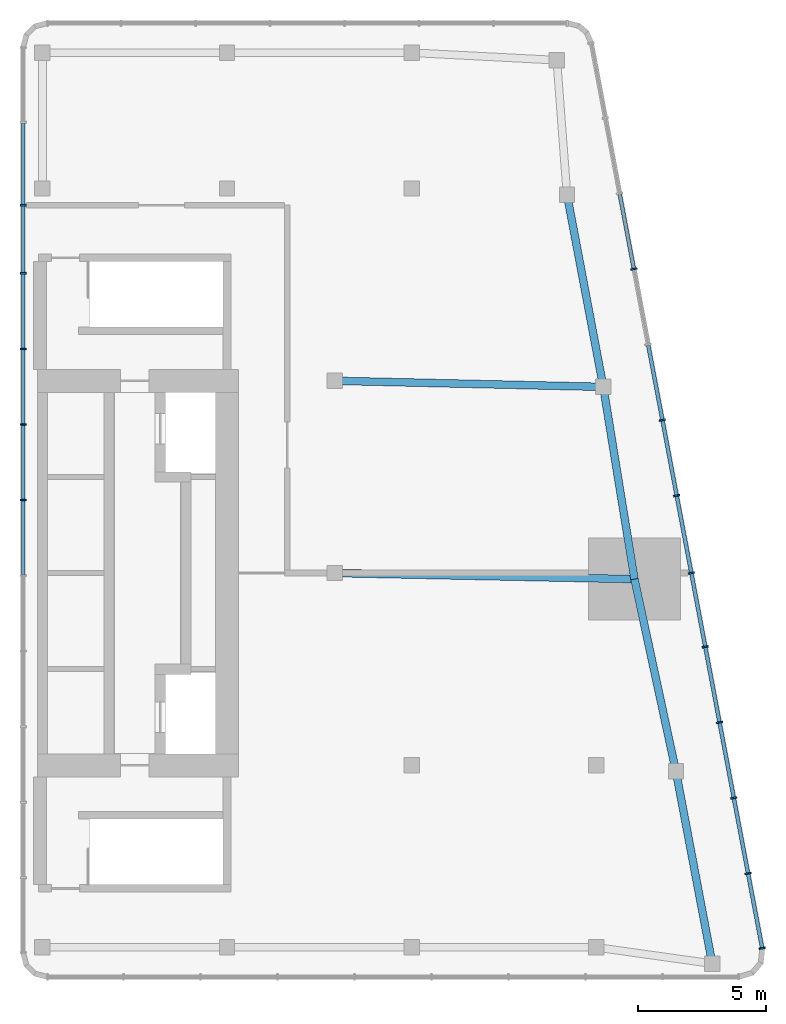
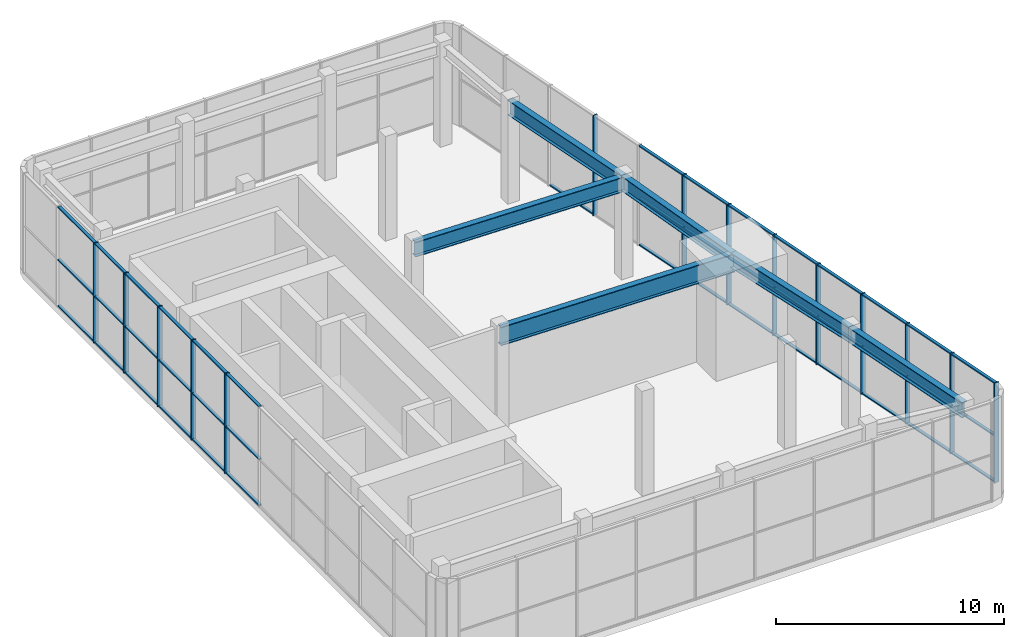
# One storey, part 2 of 6: 57 members, 6 beams, 2 elements without a shape of their own.
"""IFC4 building model written with IfcOpenShell, lengths in metres."""

from ifc_helpers import new_model, si_unit, direction, frame, origin, origin_2d, place, context, subcontext, project, spatial, rectangle, i_section, extrude, material, material_profile, profile_set, type_object, element, aggregate, save


model = new_model("IFC4")

# Units and contexts
model_context = context("Model", 3, precision=1e-05, world=origin(), true_north=direction((0.0, 1.0)))
body_context = subcontext(model_context, "Body", "Model", "MODEL_VIEW")
ifc_project = project(units=[si_unit("LENGTHUNIT", "METRE"), si_unit("AREAUNIT", "SQUARE_METRE"), si_unit("VOLUMEUNIT", "CUBIC_METRE"), si_unit("PLANEANGLEUNIT", "RADIAN"), si_unit("MASSUNIT", "GRAM", prefix="KILO")], contexts=[model_context])

# Site, building, storey
site_placement = place(None, origin())
site = spatial("IfcSite", under=ifc_project, at=site_placement, CompositionType="ELEMENT")
building_placement = place(site_placement, origin())
building = spatial("IfcBuilding", under=site, at=building_placement, Name="Sheger Commons Tower", CompositionType="ELEMENT")
storey_placement = place(building_placement, frame((0.0, 0.0, 301.60009765625)))
storey = spatial("IfcBuildingStorey", under=building, at=storey_placement, Name="L77", CompositionType="ELEMENT", Elevation=301.60009765625)

# Curtain wall, members
ifc_material_1 = material(Name="Black aluminium curtain wall, dark tinted glazing", Category="aluminium")
curtain_wall_type = type_object("IfcCurtainWallType", Name="CURTAIN WALL CW6 LANTERN", PredefinedType="USERDEFINED", material=ifc_material_1)
curtain_wall_1_placement = place(storey_placement, origin())
curtain_wall_1 = element("IfcCurtainWall", 1, at=curtain_wall_1_placement, inside=storey, type_object=curtain_wall_type, Name="Curtain Wall Cw6 Lantern E1 L77", ObjectType="UNITISED CURTAIN WALL", PredefinedType="USERDEFINED")
ifc_material_2 = material(Name="Black anodised aluminium", Category="aluminium")
ifc_material_profile_1 = material_profile(ifc_material_2, rectangle(XDim=0.25, YDim=0.06494140625, at=origin_2d()), Name="AL 65x250")
ifc_profile_set_1 = profile_set([ifc_material_profile_1], Name="Black anodised aluminium")
member_type_1 = type_object("IfcMemberType", Name="MULLION AL 65x250", PredefinedType="MULLION", material=ifc_profile_set_1)
member_1_placement = place(storey_placement, frame((49.677978515625, 7.864013671875, 0.0), z_axis=(0.0, 0.0, 1.0), x_axis=(-0.982622863229, -0.185613331041, 0.0)))
member_1 = element("IfcMember", 2, at=member_1_placement, type_object=member_type_1, Name="CW6 mullion 1", PredefinedType="MULLION", context=body_context, shape_type="SweptSolid", body=[
    extrude(rectangle(XDim=0.25, YDim=0.06494140625, at=origin_2d()), origin(), (0.0, 0.0, 1.0), 5.349853515625),
])
member_2_placement = place(storey_placement, frame((49.127197265625, 10.77978515625, 0.0), z_axis=(0.0, 0.0, 1.0), x_axis=(-0.982622863229, -0.185613331041, 0.0)))
member_2 = element("IfcMember", 3, at=member_2_placement, type_object=member_type_1, Name="CW6 mullion 2", PredefinedType="MULLION", context=body_context, shape_type="SweptSolid", body=[
    extrude(rectangle(XDim=0.25, YDim=0.06494140625, at=origin_2d()), origin(), (0.0, 0.0, 1.0), 5.349853515625),
])
member_3_placement = place(storey_placement, frame((48.5703125, 13.727783203125, 0.0), z_axis=(0.0, 0.0, 1.0), x_axis=(-0.982622863229, -0.185613331041, 0.0)))
member_3 = element("IfcMember", 4, at=member_3_placement, type_object=member_type_1, Name="CW6 mullion 3", PredefinedType="MULLION", context=body_context, shape_type="SweptSolid", body=[
    extrude(rectangle(XDim=0.25, YDim=0.06494140625, at=origin_2d()), origin(), (0.0, 0.0, 1.0), 5.349853515625),
])
member_4_placement = place(storey_placement, frame((48.013427734375, 16.675537109375, 0.0), z_axis=(0.0, 0.0, 1.0), x_axis=(-0.982622863229, -0.185613331041, 0.0)))
member_4 = element("IfcMember", 5, at=member_4_placement, type_object=member_type_1, Name="CW6 mullion 4", PredefinedType="MULLION", context=body_context, shape_type="SweptSolid", body=[
    extrude(rectangle(XDim=0.25, YDim=0.06494140625, at=origin_2d()), origin(), (0.0, 0.0, 1.0), 5.349853515625),
])
member_5_placement = place(storey_placement, frame((47.45654296875, 19.62353515625, 0.0), z_axis=(0.0, 0.0, 1.0), x_axis=(-0.982622863229, -0.185613331041, 0.0)))
member_5 = element("IfcMember", 6, at=member_5_placement, type_object=member_type_1, Name="CW6 mullion 5", PredefinedType="MULLION", context=body_context, shape_type="SweptSolid", body=[
    extrude(rectangle(XDim=0.25, YDim=0.06494140625, at=origin_2d()), origin(), (0.0, 0.0, 1.0), 5.349853515625),
])
member_6_placement = place(storey_placement, frame((46.913330078125, 22.49951171875, 0.0), z_axis=(0.0, 0.0, 1.0), x_axis=(-0.982622863229, -0.185613331041, 0.0)))
member_6 = element("IfcMember", 7, at=member_6_placement, type_object=member_type_1, Name="CW6 mullion 6", PredefinedType="MULLION", context=body_context, shape_type="SweptSolid", body=[
    extrude(rectangle(XDim=0.25, YDim=0.06494140625, at=origin_2d()), origin(), (0.0, 0.0, 1.0), 5.349853515625),
])
member_7_placement = place(storey_placement, frame((46.343017578125, 25.519287109375, 0.0), z_axis=(0.0, 0.0, 1.0), x_axis=(-0.982622863229, -0.185613331041, 0.0)))
member_7 = element("IfcMember", 8, at=member_7_placement, type_object=member_type_1, Name="CW6 mullion 7", PredefinedType="MULLION", context=body_context, shape_type="SweptSolid", body=[
    extrude(rectangle(XDim=0.25, YDim=0.06494140625, at=origin_2d()), origin(), (0.0, 0.0, 1.0), 5.349853515625),
])
member_8_placement = place(storey_placement, frame((45.7861328125, 28.467041015625, 0.0), z_axis=(0.0, 0.0, 1.0), x_axis=(-0.982622863229, -0.185613331041, 0.0)))
member_8 = element("IfcMember", 9, at=member_8_placement, type_object=member_type_1, Name="CW6 mullion 8", PredefinedType="MULLION", context=body_context, shape_type="SweptSolid", body=[
    extrude(rectangle(XDim=0.25, YDim=0.06494140625, at=origin_2d()), origin(), (0.0, 0.0, 1.0), 5.349853515625),
])
member_9_placement = place(storey_placement, frame((44.67236328125, 34.36279296875, 0.0), z_axis=(0.0, 0.0, 1.0), x_axis=(-0.982622863229, -0.185613331041, 0.0)))
member_9 = element("IfcMember", 10, at=member_9_placement, type_object=member_type_1, Name="CW6 mullion 10", PredefinedType="MULLION", context=body_context, shape_type="SweptSolid", body=[
    extrude(rectangle(XDim=0.25, YDim=0.06494140625, at=origin_2d()), origin(), (0.0, 0.0, 1.0), 5.349853515625),
])

curtain_wall_2_placement = place(storey_placement, origin())
curtain_wall_2 = element("IfcCurtainWall", 11, at=curtain_wall_2_placement, inside=storey, type_object=curtain_wall_type, Name="Curtain Wall Cw6 Lantern W1 L77", ObjectType="UNITISED CURTAIN WALL", PredefinedType="USERDEFINED")
member_10_placement = place(storey_placement, frame((20.85009765625, 36.85009765625, 0.0), z_axis=(0.0, 0.0, 1.0), x_axis=(1.0, 0.0, 0.0)))
member_10 = element("IfcMember", 12, at=member_10_placement, type_object=member_type_1, Name="CW6 mullion 3", PredefinedType="MULLION", context=body_context, shape_type="SweptSolid", body=[
    extrude(rectangle(XDim=0.25, YDim=0.06494140625, at=origin_2d()), origin(), (0.0, 0.0, 1.0), 5.349853515625),
])
member_11_placement = place(storey_placement, frame((20.85009765625, 34.194091796875, 0.0), z_axis=(0.0, 0.0, 1.0), x_axis=(1.0, 0.0, 0.0)))
member_11 = element("IfcMember", 13, at=member_11_placement, type_object=member_type_1, Name="CW6 mullion 4", PredefinedType="MULLION", context=body_context, shape_type="SweptSolid", body=[
    extrude(rectangle(XDim=0.25, YDim=0.06494140625, at=origin_2d()), origin(), (0.0, 0.0, 1.0), 5.349853515625),
])
member_12_placement = place(storey_placement, frame((20.85009765625, 31.24609375, 0.0), z_axis=(0.0, 0.0, 1.0), x_axis=(1.0, 0.0, 0.0)))
member_12 = element("IfcMember", 14, at=member_12_placement, type_object=member_type_1, Name="CW6 mullion 5", PredefinedType="MULLION", context=body_context, shape_type="SweptSolid", body=[
    extrude(rectangle(XDim=0.25, YDim=0.06494140625, at=origin_2d()), origin(), (0.0, 0.0, 1.0), 5.349853515625),
])
member_13_placement = place(storey_placement, frame((20.85009765625, 28.298095703125, 0.0), z_axis=(0.0, 0.0, 1.0), x_axis=(1.0, 0.0, 0.0)))
member_13 = element("IfcMember", 15, at=member_13_placement, type_object=member_type_1, Name="CW6 mullion 6", PredefinedType="MULLION", context=body_context, shape_type="SweptSolid", body=[
    extrude(rectangle(XDim=0.25, YDim=0.06494140625, at=origin_2d()), origin(), (0.0, 0.0, 1.0), 5.349853515625),
])
member_14_placement = place(storey_placement, frame((20.85009765625, 25.35009765625, 0.0), z_axis=(0.0, 0.0, 1.0), x_axis=(1.0, 0.0, 0.0)))
member_14 = element("IfcMember", 16, at=member_14_placement, type_object=member_type_1, Name="CW6 mullion 7", PredefinedType="MULLION", context=body_context, shape_type="SweptSolid", body=[
    extrude(rectangle(XDim=0.25, YDim=0.06494140625, at=origin_2d()), origin(), (0.0, 0.0, 1.0), 5.349853515625),
])

# Beams
ifc_material_3 = material(Name="Steel S460", Category="steel")
ifc_material_profile_2 = material_profile(ifc_material_3, i_section(OverallWidth=0.300048828125, OverallDepth=1.0, WebThickness=0.01904296875, FlangeThickness=0.035888671875, at=origin_2d()), Name="HE 1000 B")
ifc_profile_set_2 = profile_set([ifc_material_profile_2], Name="Steel S460")
beam_type_1 = type_object("IfcBeamType", Name="STEEL BEAM HE 1000 B", PredefinedType="BEAM", material=ifc_profile_set_2)
beam_1_placement = place(storey_placement, frame((33.0, 22.5, 4.849853515625), z_axis=(0.999794692776, -0.02026258368, 0.0), x_axis=(0.02026258368, 0.999794692776, 0.0)))
element("IfcBeam", 17, at=beam_1_placement, inside=storey, type_object=beam_type_1, Name="Beam 6-3000/D-7/D under ROOF", PredefinedType="BEAM", context=body_context, shape_type="SweptSolid", body=[
    extrude(i_section(OverallWidth=0.300048828125, OverallDepth=1.0, WebThickness=0.01904296875, FlangeThickness=0.035888671875, at=origin_2d()), origin(), (0.0, 0.0, 1.0), 11.699462890625),
])
ifc_material_4 = material(Name="Steel S460", Category="steel")
ifc_material_profile_3 = material_profile(ifc_material_4, i_section(OverallWidth=0.300048828125, OverallDepth=0.800048828125, WebThickness=0.017578125, FlangeThickness=0.032958984375, at=origin_2d()), Name="HE 800 B")
ifc_profile_set_3 = profile_set([ifc_material_profile_3], Name="Steel S460")
beam_type_2 = type_object("IfcBeamType", Name="STEEL BEAM HE 800 B", PredefinedType="BEAM", material=ifc_profile_set_3)
beam_2_placement = place(storey_placement, frame((47.72998046875, 7.262939453125, 4.949951171875), z_axis=(-0.18552441405, 0.982639655108, 0.0), x_axis=(-0.982639655108, -0.18552441405, 0.0)))
element("IfcBeam", 18, at=beam_2_placement, inside=storey, type_object=beam_type_2, Name="Beam E/B-E/C under ROOF", PredefinedType="BEAM", context=body_context, shape_type="SweptSolid", body=[
    extrude(i_section(OverallWidth=0.300048828125, OverallDepth=0.800048828125, WebThickness=0.017578125, FlangeThickness=0.032958984375, at=origin_2d()), origin(), (0.0, 0.0, 1.0), 7.632568359375),
])
beam_3_placement = place(storey_placement, frame((46.31396484375, 14.762939453125, 4.949951171875), z_axis=(-0.210750229323, 0.977539943348, 0.0), x_axis=(-0.977539943348, -0.210750229323, 0.0)))
element("IfcBeam", 19, at=beam_3_placement, inside=storey, type_object=beam_type_2, Name="Beam E/C-E/D under ROOF", PredefinedType="BEAM", context=body_context, shape_type="SweptSolid", body=[
    extrude(i_section(OverallWidth=0.300048828125, OverallDepth=0.800048828125, WebThickness=0.017578125, FlangeThickness=0.032958984375, at=origin_2d()), origin(), (0.0, 0.0, 1.0), 7.67236328125),
])
beam_4_placement = place(storey_placement, frame((44.697021484375, 22.262939453125, 4.949951171875), z_axis=(-0.160176929512, 0.987088319884, 0.0), x_axis=(-0.987088319884, -0.160176929512, 0.0)))
element("IfcBeam", 20, at=beam_4_placement, inside=storey, type_object=beam_type_2, Name="Beam E/D-E/E under ROOF", PredefinedType="BEAM", context=body_context, shape_type="SweptSolid", body=[
    extrude(i_section(OverallWidth=0.300048828125, OverallDepth=0.800048828125, WebThickness=0.017578125, FlangeThickness=0.032958984375, at=origin_2d()), origin(), (0.0, 0.0, 1.0), 7.59814453125),
])
beam_5_placement = place(storey_placement, frame((43.47998046875, 29.762939453125, 4.949951171875), z_axis=(-0.18552441405, 0.982639655108, 0.0), x_axis=(-0.982639655108, -0.18552441405, 0.0)))
element("IfcBeam", 21, at=beam_5_placement, inside=storey, type_object=beam_type_2, Name="Beam E/E-E/F under ROOF", PredefinedType="BEAM", context=body_context, shape_type="SweptSolid", body=[
    extrude(i_section(OverallWidth=0.300048828125, OverallDepth=0.800048828125, WebThickness=0.017578125, FlangeThickness=0.032958984375, at=origin_2d()), origin(), (0.0, 0.0, 1.0), 7.632568359375),
])
beam_6_placement = place(storey_placement, frame((33.0, 30.0, 4.949951171875), z_axis=(0.999744258625, -0.022614538395, 0.0), x_axis=(0.022614538395, 0.999744258625, 0.0)))
element("IfcBeam", 22, at=beam_6_placement, inside=storey, type_object=beam_type_2, Name="Beam 6-3000/E-E/E under ROOF", PredefinedType="BEAM", context=body_context, shape_type="SweptSolid", body=[
    extrude(i_section(OverallWidth=0.300048828125, OverallDepth=0.800048828125, WebThickness=0.017578125, FlangeThickness=0.032958984375, at=origin_2d()), origin(), (0.0, 0.0, 1.0), 10.482666015625),
])

# Member
ifc_material_5 = material(Name="Black anodised aluminium", Category="aluminium")
ifc_material_profile_4 = material_profile(ifc_material_5, rectangle(XDim=0.14990234375, YDim=0.06494140625, at=origin_2d()), Name="AL 65x150")
ifc_profile_set_4 = profile_set([ifc_material_profile_4], Name="Black anodised aluminium")
member_type_2 = type_object("IfcMemberType", Name="TRANSOM AL 65x150", PredefinedType="USERDEFINED", material=ifc_profile_set_4)
member_15_placement = place(storey_placement, frame((49.671875, 7.895751953125, 0.032470703125), z_axis=(-0.185542708152, 0.982636200967, 0.0), x_axis=(-0.982636200967, -0.185542708152, 0.0)))
member_15 = element("IfcMember", 23, at=member_15_placement, type_object=member_type_2, Name="CW6 transom 1.1", ObjectType="TRANSOM", PredefinedType="USERDEFINED", context=body_context, shape_type="SweptSolid", body=[
    extrude(rectangle(XDim=0.14990234375, YDim=0.06494140625, at=origin_2d()), origin(), (0.0, 0.0, 1.0), 2.902587890625),
])

member_16_placement = place(storey_placement, frame((49.671875, 7.895751953125, 2.5), z_axis=(-0.185542708152, 0.982636200967, 0.0), x_axis=(-0.982636200967, -0.185542708152, 0.0)))
member_16 = element("IfcMember", 24, at=member_16_placement, type_object=member_type_2, Name="CW6 transom 1.2", ObjectType="TRANSOM", PredefinedType="USERDEFINED", context=body_context, shape_type="SweptSolid", body=[
    extrude(rectangle(XDim=0.14990234375, YDim=0.06494140625, at=origin_2d()), origin(), (0.0, 0.0, 1.0), 2.902587890625),
])

member_17_placement = place(storey_placement, frame((49.671875, 7.895751953125, 5.3173828125), z_axis=(-0.185542708152, 0.982636200967, 0.0), x_axis=(-0.982636200967, -0.185542708152, 0.0)))
member_17 = element("IfcMember", 25, at=member_17_placement, type_object=member_type_2, Name="CW6 transom 1.3", ObjectType="TRANSOM", PredefinedType="USERDEFINED", context=body_context, shape_type="SweptSolid", body=[
    extrude(rectangle(XDim=0.14990234375, YDim=0.06494140625, at=origin_2d()), origin(), (0.0, 0.0, 1.0), 2.902587890625),
])

member_18_placement = place(storey_placement, frame((49.12109375, 10.811767578125, 0.032470703125), z_axis=(-0.18557911014, 0.982629326796, 0.0), x_axis=(-0.982629326796, -0.18557911014, 0.0)))
member_18 = element("IfcMember", 26, at=member_18_placement, type_object=member_type_2, Name="CW6 transom 2.1", ObjectType="TRANSOM", PredefinedType="USERDEFINED", context=body_context, shape_type="SweptSolid", body=[
    extrude(rectangle(XDim=0.14990234375, YDim=0.06494140625, at=origin_2d()), origin(), (0.0, 0.0, 1.0), 2.93505859375),
])

member_19_placement = place(storey_placement, frame((49.12109375, 10.811767578125, 2.5), z_axis=(-0.18557911014, 0.982629326796, 0.0), x_axis=(-0.982629326796, -0.18557911014, 0.0)))
member_19 = element("IfcMember", 27, at=member_19_placement, type_object=member_type_2, Name="CW6 transom 2.2", ObjectType="TRANSOM", PredefinedType="USERDEFINED", context=body_context, shape_type="SweptSolid", body=[
    extrude(rectangle(XDim=0.14990234375, YDim=0.06494140625, at=origin_2d()), origin(), (0.0, 0.0, 1.0), 2.93505859375),
])

member_20_placement = place(storey_placement, frame((49.12109375, 10.811767578125, 5.3173828125), z_axis=(-0.18557911014, 0.982629326796, 0.0), x_axis=(-0.982629326796, -0.18557911014, 0.0)))
member_20 = element("IfcMember", 28, at=member_20_placement, type_object=member_type_2, Name="CW6 transom 2.3", ObjectType="TRANSOM", PredefinedType="USERDEFINED", context=body_context, shape_type="SweptSolid", body=[
    extrude(rectangle(XDim=0.14990234375, YDim=0.06494140625, at=origin_2d()), origin(), (0.0, 0.0, 1.0), 2.93505859375),
])

member_21_placement = place(storey_placement, frame((48.564208984375, 13.759765625, 0.032470703125), z_axis=(-0.185594280056, 0.982626461688, 0.0), x_axis=(-0.982626461688, -0.185594280056, 0.0)))
member_21 = element("IfcMember", 29, at=member_21_placement, type_object=member_type_2, Name="CW6 transom 3.1", ObjectType="TRANSOM", PredefinedType="USERDEFINED", context=body_context, shape_type="SweptSolid", body=[
    extrude(rectangle(XDim=0.14990234375, YDim=0.06494140625, at=origin_2d()), origin(), (0.0, 0.0, 1.0), 2.934814453125),
])

member_22_placement = place(storey_placement, frame((48.564208984375, 13.759765625, 2.5), z_axis=(-0.185594280056, 0.982626461688, 0.0), x_axis=(-0.982626461688, -0.185594280056, 0.0)))
member_22 = element("IfcMember", 30, at=member_22_placement, type_object=member_type_2, Name="CW6 transom 3.2", ObjectType="TRANSOM", PredefinedType="USERDEFINED", context=body_context, shape_type="SweptSolid", body=[
    extrude(rectangle(XDim=0.14990234375, YDim=0.06494140625, at=origin_2d()), origin(), (0.0, 0.0, 1.0), 2.934814453125),
])

member_23_placement = place(storey_placement, frame((48.564208984375, 13.759765625, 5.3173828125), z_axis=(-0.185594280056, 0.982626461688, 0.0), x_axis=(-0.982626461688, -0.185594280056, 0.0)))
member_23 = element("IfcMember", 31, at=member_23_placement, type_object=member_type_2, Name="CW6 transom 3.3", ObjectType="TRANSOM", PredefinedType="USERDEFINED", context=body_context, shape_type="SweptSolid", body=[
    extrude(rectangle(XDim=0.14990234375, YDim=0.06494140625, at=origin_2d()), origin(), (0.0, 0.0, 1.0), 2.934814453125),
])

member_24_placement = place(storey_placement, frame((48.007568359375, 16.70751953125, 0.032470703125), z_axis=(-0.185659425554, 0.982614155049, 0.0), x_axis=(-0.982614155049, -0.185659425554, 0.0)))
member_24 = element("IfcMember", 32, at=member_24_placement, type_object=member_type_2, Name="CW6 transom 4.1", ObjectType="TRANSOM", PredefinedType="USERDEFINED", context=body_context, shape_type="SweptSolid", body=[
    extrude(rectangle(XDim=0.14990234375, YDim=0.06494140625, at=origin_2d()), origin(), (0.0, 0.0, 1.0), 2.93505859375),
])

member_25_placement = place(storey_placement, frame((48.007568359375, 16.70751953125, 2.5), z_axis=(-0.185659425554, 0.982614155049, 0.0), x_axis=(-0.982614155049, -0.185659425554, 0.0)))
member_25 = element("IfcMember", 33, at=member_25_placement, type_object=member_type_2, Name="CW6 transom 4.2", ObjectType="TRANSOM", PredefinedType="USERDEFINED", context=body_context, shape_type="SweptSolid", body=[
    extrude(rectangle(XDim=0.14990234375, YDim=0.06494140625, at=origin_2d()), origin(), (0.0, 0.0, 1.0), 2.93505859375),
])

member_26_placement = place(storey_placement, frame((48.007568359375, 16.70751953125, 5.3173828125), z_axis=(-0.185659425554, 0.982614155049, 0.0), x_axis=(-0.982614155049, -0.185659425554, 0.0)))
member_26 = element("IfcMember", 34, at=member_26_placement, type_object=member_type_2, Name="CW6 transom 4.3", ObjectType="TRANSOM", PredefinedType="USERDEFINED", context=body_context, shape_type="SweptSolid", body=[
    extrude(rectangle(XDim=0.14990234375, YDim=0.06494140625, at=origin_2d()), origin(), (0.0, 0.0, 1.0), 2.93505859375),
])

member_27_placement = place(storey_placement, frame((47.45068359375, 19.655517578125, 0.032470703125), z_axis=(-0.185622332692, 0.982621162812, 0.0), x_axis=(-0.982621162812, -0.185622332692, 0.0)))
member_27 = element("IfcMember", 35, at=member_27_placement, type_object=member_type_2, Name="CW6 transom 5.1", ObjectType="TRANSOM", PredefinedType="USERDEFINED", context=body_context, shape_type="SweptSolid", body=[
    extrude(rectangle(XDim=0.14990234375, YDim=0.06494140625, at=origin_2d()), origin(), (0.0, 0.0, 1.0), 2.862060546875),
])

member_28_placement = place(storey_placement, frame((47.45068359375, 19.655517578125, 2.5), z_axis=(-0.185622332692, 0.982621162812, 0.0), x_axis=(-0.982621162812, -0.185622332692, 0.0)))
member_28 = element("IfcMember", 36, at=member_28_placement, type_object=member_type_2, Name="CW6 transom 5.2", ObjectType="TRANSOM", PredefinedType="USERDEFINED", context=body_context, shape_type="SweptSolid", body=[
    extrude(rectangle(XDim=0.14990234375, YDim=0.06494140625, at=origin_2d()), origin(), (0.0, 0.0, 1.0), 2.862060546875),
])

member_29_placement = place(storey_placement, frame((47.45068359375, 19.655517578125, 5.3173828125), z_axis=(-0.185622332692, 0.982621162812, 0.0), x_axis=(-0.982621162812, -0.185622332692, 0.0)))
member_29 = element("IfcMember", 37, at=member_29_placement, type_object=member_type_2, Name="CW6 transom 5.3", ObjectType="TRANSOM", PredefinedType="USERDEFINED", context=body_context, shape_type="SweptSolid", body=[
    extrude(rectangle(XDim=0.14990234375, YDim=0.06494140625, at=origin_2d()), origin(), (0.0, 0.0, 1.0), 2.862060546875),
])

member_30_placement = place(storey_placement, frame((46.9072265625, 22.531494140625, 0.032470703125), z_axis=(-0.185616352754, 0.982622292435, 0.0), x_axis=(-0.982622292435, -0.185616352755, 0.0)))
member_30 = element("IfcMember", 38, at=member_30_placement, type_object=member_type_2, Name="CW6 transom 6.1", ObjectType="TRANSOM", PredefinedType="USERDEFINED", context=body_context, shape_type="SweptSolid", body=[
    extrude(rectangle(XDim=0.14990234375, YDim=0.06494140625, at=origin_2d()), origin(), (0.0, 0.0, 1.0), 3.008056640625),
])

member_31_placement = place(storey_placement, frame((46.9072265625, 22.531494140625, 2.5), z_axis=(-0.185616352754, 0.982622292435, 0.0), x_axis=(-0.982622292435, -0.185616352755, 0.0)))
member_31 = element("IfcMember", 39, at=member_31_placement, type_object=member_type_2, Name="CW6 transom 6.2", ObjectType="TRANSOM", PredefinedType="USERDEFINED", context=body_context, shape_type="SweptSolid", body=[
    extrude(rectangle(XDim=0.14990234375, YDim=0.06494140625, at=origin_2d()), origin(), (0.0, 0.0, 1.0), 3.008056640625),
])

member_32_placement = place(storey_placement, frame((46.9072265625, 22.531494140625, 5.3173828125), z_axis=(-0.185616352754, 0.982622292435, 0.0), x_axis=(-0.982622292435, -0.185616352755, 0.0)))
member_32 = element("IfcMember", 40, at=member_32_placement, type_object=member_type_2, Name="CW6 transom 6.3", ObjectType="TRANSOM", PredefinedType="USERDEFINED", context=body_context, shape_type="SweptSolid", body=[
    extrude(rectangle(XDim=0.14990234375, YDim=0.06494140625, at=origin_2d()), origin(), (0.0, 0.0, 1.0), 3.008056640625),
])

member_33_placement = place(storey_placement, frame((46.3369140625, 25.551025390625, 0.032470703125), z_axis=(-0.18557911014, 0.982629326796, 0.0), x_axis=(-0.982629326796, -0.18557911014, 0.0)))
member_33 = element("IfcMember", 41, at=member_33_placement, type_object=member_type_2, Name="CW6 transom 7.1", ObjectType="TRANSOM", PredefinedType="USERDEFINED", context=body_context, shape_type="SweptSolid", body=[
    extrude(rectangle(XDim=0.14990234375, YDim=0.06494140625, at=origin_2d()), origin(), (0.0, 0.0, 1.0), 2.93505859375),
])

member_34_placement = place(storey_placement, frame((46.3369140625, 25.551025390625, 2.5), z_axis=(-0.18557911014, 0.982629326796, 0.0), x_axis=(-0.982629326796, -0.18557911014, 0.0)))
member_34 = element("IfcMember", 42, at=member_34_placement, type_object=member_type_2, Name="CW6 transom 7.2", ObjectType="TRANSOM", PredefinedType="USERDEFINED", context=body_context, shape_type="SweptSolid", body=[
    extrude(rectangle(XDim=0.14990234375, YDim=0.06494140625, at=origin_2d()), origin(), (0.0, 0.0, 1.0), 2.93505859375),
])

member_35_placement = place(storey_placement, frame((46.3369140625, 25.551025390625, 5.3173828125), z_axis=(-0.18557911014, 0.982629326796, 0.0), x_axis=(-0.982629326796, -0.18557911014, 0.0)))
member_35 = element("IfcMember", 43, at=member_35_placement, type_object=member_type_2, Name="CW6 transom 7.3", ObjectType="TRANSOM", PredefinedType="USERDEFINED", context=body_context, shape_type="SweptSolid", body=[
    extrude(rectangle(XDim=0.14990234375, YDim=0.06494140625, at=origin_2d()), origin(), (0.0, 0.0, 1.0), 2.93505859375),
])

member_36_placement = place(storey_placement, frame((45.780029296875, 28.4990234375, 0.032470703125), z_axis=(-0.18557911014, 0.982629326796, 0.0), x_axis=(-0.982629326796, -0.18557911014, 0.0)))
member_36 = element("IfcMember", 44, at=member_36_placement, type_object=member_type_2, Name="CW6 transom 8.1", ObjectType="TRANSOM", PredefinedType="USERDEFINED", context=body_context, shape_type="SweptSolid", body=[
    extrude(rectangle(XDim=0.14990234375, YDim=0.06494140625, at=origin_2d()), origin(), (0.0, 0.0, 1.0), 2.93505859375),
])

member_37_placement = place(storey_placement, frame((45.780029296875, 28.4990234375, 2.5), z_axis=(-0.18557911014, 0.982629326796, 0.0), x_axis=(-0.982629326796, -0.18557911014, 0.0)))
member_37 = element("IfcMember", 45, at=member_37_placement, type_object=member_type_2, Name="CW6 transom 8.2", ObjectType="TRANSOM", PredefinedType="USERDEFINED", context=body_context, shape_type="SweptSolid", body=[
    extrude(rectangle(XDim=0.14990234375, YDim=0.06494140625, at=origin_2d()), origin(), (0.0, 0.0, 1.0), 2.93505859375),
])

member_38_placement = place(storey_placement, frame((45.780029296875, 28.4990234375, 5.3173828125), z_axis=(-0.18557911014, 0.982629326796, 0.0), x_axis=(-0.982629326796, -0.18557911014, 0.0)))
member_38 = element("IfcMember", 46, at=member_38_placement, type_object=member_type_2, Name="CW6 transom 8.3", ObjectType="TRANSOM", PredefinedType="USERDEFINED", context=body_context, shape_type="SweptSolid", body=[
    extrude(rectangle(XDim=0.14990234375, YDim=0.06494140625, at=origin_2d()), origin(), (0.0, 0.0, 1.0), 2.93505859375),
])

member_39_placement = place(storey_placement, frame((44.66650390625, 34.394775390625, 0.032470703125), z_axis=(-0.185659425554, 0.982614155049, 0.0), x_axis=(-0.982614155049, -0.185659425554, 0.0)))
member_39 = element("IfcMember", 47, at=member_39_placement, type_object=member_type_2, Name="CW6 transom 10.1", ObjectType="TRANSOM", PredefinedType="USERDEFINED", context=body_context, shape_type="SweptSolid", body=[
    extrude(rectangle(XDim=0.14990234375, YDim=0.06494140625, at=origin_2d()), origin(), (0.0, 0.0, 1.0), 2.93505859375),
])

aggregate(curtain_wall_1, [member_1, member_2, member_3, member_4, member_5, member_6, member_7, member_8, member_9, member_15, member_16, member_17, member_18, member_19, member_20, member_21, member_22, member_23, member_24, member_25, member_26, member_27, member_28, member_29, member_30, member_31, member_32, member_33, member_34, member_35, member_36, member_37, member_38, member_39])

member_40_placement = place(storey_placement, frame((20.85009765625, 40.056396484375, 0.032470703125), z_axis=(0.0, -1.0, 0.0), x_axis=(1.0, 0.0, 0.0)))
member_40 = element("IfcMember", 48, at=member_40_placement, type_object=member_type_2, Name="CW6 transom 2.1", ObjectType="TRANSOM", PredefinedType="USERDEFINED", context=body_context, shape_type="SweptSolid", body=[
    extrude(rectangle(XDim=0.14990234375, YDim=0.06494140625, at=origin_2d()), origin(), (0.0, 0.0, 1.0), 3.173828125),
])

member_41_placement = place(storey_placement, frame((20.85009765625, 40.056396484375, 2.5), z_axis=(0.0, -1.0, 0.0), x_axis=(1.0, 0.0, 0.0)))
member_41 = element("IfcMember", 49, at=member_41_placement, type_object=member_type_2, Name="CW6 transom 2.2", ObjectType="TRANSOM", PredefinedType="USERDEFINED", context=body_context, shape_type="SweptSolid", body=[
    extrude(rectangle(XDim=0.14990234375, YDim=0.06494140625, at=origin_2d()), origin(), (0.0, 0.0, 1.0), 3.173828125),
])

member_42_placement = place(storey_placement, frame((20.85009765625, 40.056396484375, 5.3173828125), z_axis=(0.0, -1.0, 0.0), x_axis=(1.0, 0.0, 0.0)))
member_42 = element("IfcMember", 50, at=member_42_placement, type_object=member_type_2, Name="CW6 transom 2.3", ObjectType="TRANSOM", PredefinedType="USERDEFINED", context=body_context, shape_type="SweptSolid", body=[
    extrude(rectangle(XDim=0.14990234375, YDim=0.06494140625, at=origin_2d()), origin(), (0.0, 0.0, 1.0), 3.173828125),
])

member_43_placement = place(storey_placement, frame((20.85009765625, 36.8173828125, 0.032470703125), z_axis=(0.0, -1.0, 0.0), x_axis=(1.0, 0.0, 0.0)))
member_43 = element("IfcMember", 51, at=member_43_placement, type_object=member_type_2, Name="CW6 transom 3.1", ObjectType="TRANSOM", PredefinedType="USERDEFINED", context=body_context, shape_type="SweptSolid", body=[
    extrude(rectangle(XDim=0.14990234375, YDim=0.06494140625, at=origin_2d()), origin(), (0.0, 0.0, 1.0), 2.5908203125),
])

member_44_placement = place(storey_placement, frame((20.85009765625, 36.8173828125, 2.5), z_axis=(0.0, -1.0, 0.0), x_axis=(1.0, 0.0, 0.0)))
member_44 = element("IfcMember", 52, at=member_44_placement, type_object=member_type_2, Name="CW6 transom 3.2", ObjectType="TRANSOM", PredefinedType="USERDEFINED", context=body_context, shape_type="SweptSolid", body=[
    extrude(rectangle(XDim=0.14990234375, YDim=0.06494140625, at=origin_2d()), origin(), (0.0, 0.0, 1.0), 2.5908203125),
])

member_45_placement = place(storey_placement, frame((20.85009765625, 36.8173828125, 5.3173828125), z_axis=(0.0, -1.0, 0.0), x_axis=(1.0, 0.0, 0.0)))
member_45 = element("IfcMember", 53, at=member_45_placement, type_object=member_type_2, Name="CW6 transom 3.3", ObjectType="TRANSOM", PredefinedType="USERDEFINED", context=body_context, shape_type="SweptSolid", body=[
    extrude(rectangle(XDim=0.14990234375, YDim=0.06494140625, at=origin_2d()), origin(), (0.0, 0.0, 1.0), 2.5908203125),
])

member_46_placement = place(storey_placement, frame((20.85009765625, 34.16162109375, 0.032470703125), z_axis=(0.0, -1.0, 0.0), x_axis=(1.0, 0.0, 0.0)))
member_46 = element("IfcMember", 54, at=member_46_placement, type_object=member_type_2, Name="CW6 transom 4.1", ObjectType="TRANSOM", PredefinedType="USERDEFINED", context=body_context, shape_type="SweptSolid", body=[
    extrude(rectangle(XDim=0.14990234375, YDim=0.06494140625, at=origin_2d()), origin(), (0.0, 0.0, 1.0), 2.883056640625),
])

member_47_placement = place(storey_placement, frame((20.85009765625, 34.16162109375, 2.5), z_axis=(0.0, -1.0, 0.0), x_axis=(1.0, 0.0, 0.0)))
member_47 = element("IfcMember", 55, at=member_47_placement, type_object=member_type_2, Name="CW6 transom 4.2", ObjectType="TRANSOM", PredefinedType="USERDEFINED", context=body_context, shape_type="SweptSolid", body=[
    extrude(rectangle(XDim=0.14990234375, YDim=0.06494140625, at=origin_2d()), origin(), (0.0, 0.0, 1.0), 2.883056640625),
])

member_48_placement = place(storey_placement, frame((20.85009765625, 34.16162109375, 5.3173828125), z_axis=(0.0, -1.0, 0.0), x_axis=(1.0, 0.0, 0.0)))
member_48 = element("IfcMember", 56, at=member_48_placement, type_object=member_type_2, Name="CW6 transom 4.3", ObjectType="TRANSOM", PredefinedType="USERDEFINED", context=body_context, shape_type="SweptSolid", body=[
    extrude(rectangle(XDim=0.14990234375, YDim=0.06494140625, at=origin_2d()), origin(), (0.0, 0.0, 1.0), 2.883056640625),
])

member_49_placement = place(storey_placement, frame((20.85009765625, 31.21337890625, 0.032470703125), z_axis=(0.0, -1.0, 0.0), x_axis=(1.0, 0.0, 0.0)))
member_49 = element("IfcMember", 57, at=member_49_placement, type_object=member_type_2, Name="CW6 transom 5.1", ObjectType="TRANSOM", PredefinedType="USERDEFINED", context=body_context, shape_type="SweptSolid", body=[
    extrude(rectangle(XDim=0.14990234375, YDim=0.06494140625, at=origin_2d()), origin(), (0.0, 0.0, 1.0), 2.8828125),
])

member_50_placement = place(storey_placement, frame((20.85009765625, 31.21337890625, 2.5), z_axis=(0.0, -1.0, 0.0), x_axis=(1.0, 0.0, 0.0)))
member_50 = element("IfcMember", 58, at=member_50_placement, type_object=member_type_2, Name="CW6 transom 5.2", ObjectType="TRANSOM", PredefinedType="USERDEFINED", context=body_context, shape_type="SweptSolid", body=[
    extrude(rectangle(XDim=0.14990234375, YDim=0.06494140625, at=origin_2d()), origin(), (0.0, 0.0, 1.0), 2.8828125),
])

member_51_placement = place(storey_placement, frame((20.85009765625, 31.21337890625, 5.3173828125), z_axis=(0.0, -1.0, 0.0), x_axis=(1.0, 0.0, 0.0)))
member_51 = element("IfcMember", 59, at=member_51_placement, type_object=member_type_2, Name="CW6 transom 5.3", ObjectType="TRANSOM", PredefinedType="USERDEFINED", context=body_context, shape_type="SweptSolid", body=[
    extrude(rectangle(XDim=0.14990234375, YDim=0.06494140625, at=origin_2d()), origin(), (0.0, 0.0, 1.0), 2.8828125),
])

member_52_placement = place(storey_placement, frame((20.85009765625, 28.265380859375, 0.032470703125), z_axis=(0.0, -1.0, 0.0), x_axis=(1.0, 0.0, 0.0)))
member_52 = element("IfcMember", 60, at=member_52_placement, type_object=member_type_2, Name="CW6 transom 6.1", ObjectType="TRANSOM", PredefinedType="USERDEFINED", context=body_context, shape_type="SweptSolid", body=[
    extrude(rectangle(XDim=0.14990234375, YDim=0.06494140625, at=origin_2d()), origin(), (0.0, 0.0, 1.0), 2.8828125),
])

member_53_placement = place(storey_placement, frame((20.85009765625, 28.265380859375, 2.5), z_axis=(0.0, -1.0, 0.0), x_axis=(1.0, 0.0, 0.0)))
member_53 = element("IfcMember", 61, at=member_53_placement, type_object=member_type_2, Name="CW6 transom 6.2", ObjectType="TRANSOM", PredefinedType="USERDEFINED", context=body_context, shape_type="SweptSolid", body=[
    extrude(rectangle(XDim=0.14990234375, YDim=0.06494140625, at=origin_2d()), origin(), (0.0, 0.0, 1.0), 2.8828125),
])

member_54_placement = place(storey_placement, frame((20.85009765625, 28.265380859375, 5.3173828125), z_axis=(0.0, -1.0, 0.0), x_axis=(1.0, 0.0, 0.0)))
member_54 = element("IfcMember", 62, at=member_54_placement, type_object=member_type_2, Name="CW6 transom 6.3", ObjectType="TRANSOM", PredefinedType="USERDEFINED", context=body_context, shape_type="SweptSolid", body=[
    extrude(rectangle(XDim=0.14990234375, YDim=0.06494140625, at=origin_2d()), origin(), (0.0, 0.0, 1.0), 2.8828125),
])

member_55_placement = place(storey_placement, frame((20.85009765625, 25.3173828125, 0.032470703125), z_axis=(0.0, -1.0, 0.0), x_axis=(1.0, 0.0, 0.0)))
member_55 = element("IfcMember", 63, at=member_55_placement, type_object=member_type_2, Name="CW6 transom 7.1", ObjectType="TRANSOM", PredefinedType="USERDEFINED", context=body_context, shape_type="SweptSolid", body=[
    extrude(rectangle(XDim=0.14990234375, YDim=0.06494140625, at=origin_2d()), origin(), (0.0, 0.0, 1.0), 2.8828125),
])

member_56_placement = place(storey_placement, frame((20.85009765625, 25.3173828125, 2.5), z_axis=(0.0, -1.0, 0.0), x_axis=(1.0, 0.0, 0.0)))
member_56 = element("IfcMember", 64, at=member_56_placement, type_object=member_type_2, Name="CW6 transom 7.2", ObjectType="TRANSOM", PredefinedType="USERDEFINED", context=body_context, shape_type="SweptSolid", body=[
    extrude(rectangle(XDim=0.14990234375, YDim=0.06494140625, at=origin_2d()), origin(), (0.0, 0.0, 1.0), 2.8828125),
])

member_57_placement = place(storey_placement, frame((20.85009765625, 25.3173828125, 5.3173828125), z_axis=(0.0, -1.0, 0.0), x_axis=(1.0, 0.0, 0.0)))
member_57 = element("IfcMember", 65, at=member_57_placement, type_object=member_type_2, Name="CW6 transom 7.3", ObjectType="TRANSOM", PredefinedType="USERDEFINED", context=body_context, shape_type="SweptSolid", body=[
    extrude(rectangle(XDim=0.14990234375, YDim=0.06494140625, at=origin_2d()), origin(), (0.0, 0.0, 1.0), 2.8828125),
])

aggregate(curtain_wall_2, [member_10, member_11, member_12, member_13, member_14, member_40, member_41, member_42, member_43, member_44, member_45, member_46, member_47, member_48, member_49, member_50, member_51, member_52, member_53, member_54, member_55, member_56, member_57])

save(model, "model.ifc")
